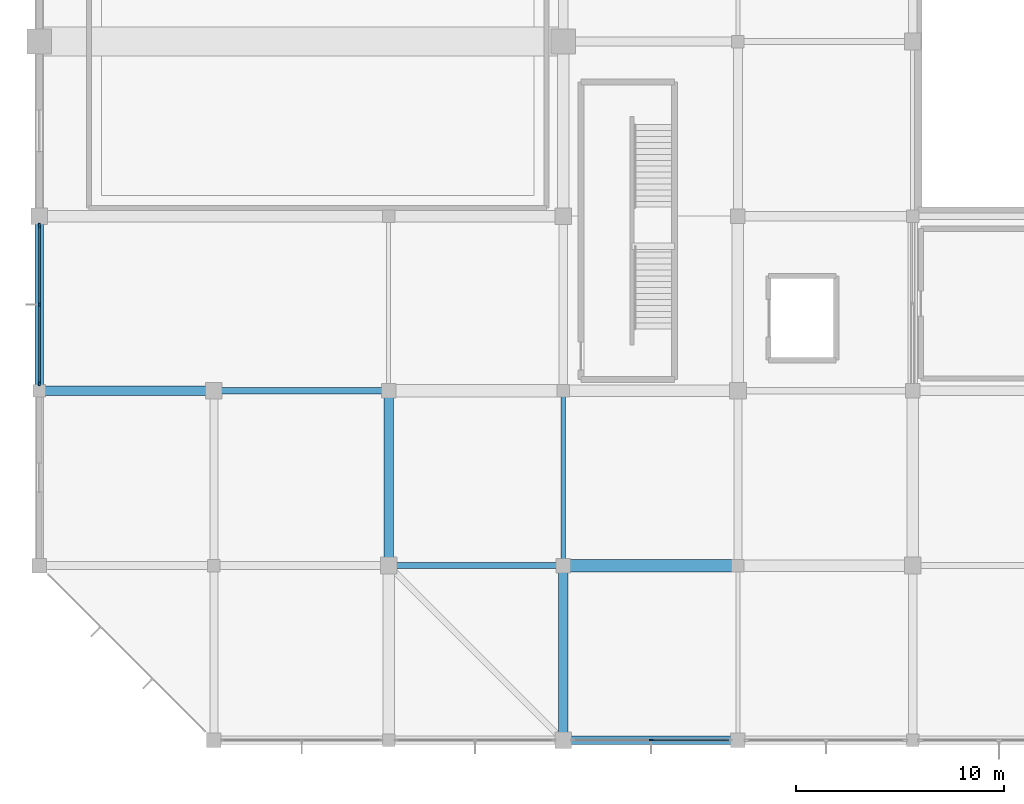
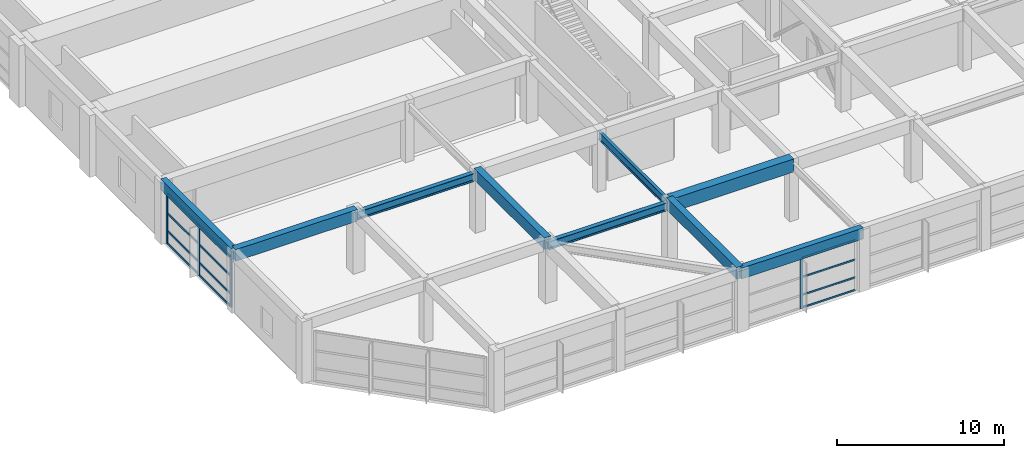
# One storey, part 11 of 62: 16 members, 9 beams, 2 elements without a shape of their own.
"""IFC4 building model written with IfcOpenShell, lengths in metres."""

from ifc_helpers import new_model, si_unit, direction, frame, origin, origin_2d, place, context, subcontext, project, spatial, rectangle, i_section, extrude, material, material_profile, profile_set, type_object, element, aggregate, save


model = new_model("IFC4")

# Units and contexts
model_context = context("Model", 3, precision=1e-05, world=origin(), true_north=direction((0.0, 1.0)))
body_context = subcontext(model_context, "Body", "Model", "MODEL_VIEW")
ifc_project = project(units=[si_unit("LENGTHUNIT", "METRE"), si_unit("AREAUNIT", "SQUARE_METRE"), si_unit("VOLUMEUNIT", "CUBIC_METRE"), si_unit("PLANEANGLEUNIT", "RADIAN"), si_unit("MASSUNIT", "GRAM", prefix="KILO")], contexts=[model_context])

# Site, building, storey
site_placement = place(None, origin())
site = spatial("IfcSite", under=ifc_project, at=site_placement, CompositionType="ELEMENT")
building_placement = place(site_placement, origin())
building = spatial("IfcBuilding", under=site, at=building_placement, Name="Xuanlan Plaza Opera House", CompositionType="ELEMENT")
storey_placement = place(building_placement, frame((0.0, 0.0, 14.39990234375)))
storey = spatial("IfcBuildingStorey", under=building, at=storey_placement, Name="L03", CompositionType="ELEMENT", Elevation=14.39990234375)

# Curtain wall, member
ifc_material_1 = material(Name="Anodised Aluminium 6063-T6 and Low-E Glass", Category="aluminium")
curtain_wall_type_1 = type_object("IfcCurtainWallType", Name="ENV-CW-CW-04", PredefinedType="USERDEFINED", material=ifc_material_1)
curtain_wall_1_placement = place(storey_placement, origin())
curtain_wall_1 = element("IfcCurtainWall", 1, at=curtain_wall_1_placement, inside=storey, type_object=curtain_wall_type_1, Name="Unitised Curtain Wall L03-003", ObjectType="UNITISED CURTAIN WALL", PredefinedType="USERDEFINED")
ifc_material_2 = material(Name="Anodised Aluminium 6063-T6", Category="aluminium")
ifc_material_profile_1 = material_profile(ifc_material_2, rectangle(XDim=0.074951171875, YDim=0.199951171875, at=origin_2d()), Name="ALU-M 75x200")
ifc_profile_set_1 = profile_set([ifc_material_profile_1], Name="Anodised Aluminium 6063-T6")
member_type_1 = type_object("IfcMemberType", Name="ENV-CWM-03", PredefinedType="MULLION", material=ifc_profile_set_1)
member_1_placement = place(storey_placement, frame((29.425048828125, 16.800048828125, 0.0), z_axis=(0.0, 0.0, 1.0), x_axis=(0.0, 1.0, 0.0)))
member_1 = element("IfcMember", 2, at=member_1_placement, type_object=member_type_1, Name="CW-04 mullion 2", PredefinedType="MULLION", context=body_context, shape_type="SweptSolid", body=[
    extrude(rectangle(XDim=0.074951171875, YDim=0.199951171875, at=origin_2d()), origin(), (0.0, 0.0, 1.0), 3.68017578125),
])

# Curtain wall, members
curtain_wall_type_2 = type_object("IfcCurtainWallType", Name="ENV-CW-CW-03", PredefinedType="USERDEFINED", material=ifc_material_1)
curtain_wall_2_placement = place(storey_placement, origin())
curtain_wall_2 = element("IfcCurtainWall", 3, at=curtain_wall_2_placement, inside=storey, type_object=curtain_wall_type_2, Name="Unitised Curtain Wall L03-054", ObjectType="UNITISED CURTAIN WALL", PredefinedType="USERDEFINED")
ifc_material_profile_2 = material_profile(ifc_material_2, rectangle(XDim=0.080078125, YDim=0.219970703125, at=origin_2d()), Name="ALU-M 80x220")
ifc_profile_set_2 = profile_set([ifc_material_profile_2], Name="Anodised Aluminium 6063-T6")
member_type_2 = type_object("IfcMemberType", Name="ENV-CWM-04", PredefinedType="MULLION", material=ifc_profile_set_2)
member_2_placement = place(storey_placement, frame((0.0, 41.5400390625, 0.0), z_axis=(0.0, 0.0, 1.0), x_axis=(1.0, 0.0, 0.0)))
member_2 = element("IfcMember", 4, at=member_2_placement, type_object=member_type_2, Name="CW-03 mullion 1", PredefinedType="MULLION", context=body_context, shape_type="SweptSolid", body=[
    extrude(rectangle(XDim=0.080078125, YDim=0.219970703125, at=origin_2d()), origin(), (0.0, 0.0, 1.0), 3.68017578125),
])
member_3_placement = place(storey_placement, frame((0.0, 37.75, 0.0), z_axis=(0.0, 0.0, 1.0), x_axis=(1.0, 0.0, 0.0)))
member_3 = element("IfcMember", 5, at=member_3_placement, type_object=member_type_2, Name="CW-03 mullion 2", PredefinedType="MULLION", context=body_context, shape_type="SweptSolid", body=[
    extrude(rectangle(XDim=0.080078125, YDim=0.219970703125, at=origin_2d()), origin(), (0.0, 0.0, 1.0), 3.68017578125),
])
member_4_placement = place(storey_placement, frame((0.0, 33.9599609375, 0.0), z_axis=(0.0, 0.0, 1.0), x_axis=(1.0, 0.0, 0.0)))
member_4 = element("IfcMember", 6, at=member_4_placement, type_object=member_type_2, Name="CW-03 mullion 3", PredefinedType="MULLION", context=body_context, shape_type="SweptSolid", body=[
    extrude(rectangle(XDim=0.080078125, YDim=0.219970703125, at=origin_2d()), origin(), (0.0, 0.0, 1.0), 3.68017578125),
])

# Member
ifc_material_profile_3 = material_profile(ifc_material_2, rectangle(XDim=0.06494140625, YDim=0.1201171875, at=origin_2d()), Name="ALU-T 65x120")
ifc_profile_set_3 = profile_set([ifc_material_profile_3], Name="Anodised Aluminium 6063-T6")
member_type_3 = type_object("IfcMemberType", Name="ENV-CWT-01", PredefinedType="USERDEFINED", material=ifc_profile_set_3)
member_5_placement = place(storey_placement, frame((29.46240234375, 16.800048828125, 0.03271484375), z_axis=(1.0, 0.0, 0.0), x_axis=(0.0, 1.0, 0.0)))
member_5 = element("IfcMember", 7, at=member_5_placement, type_object=member_type_3, Name="CW-04 transom 2.1", ObjectType="TRANSOM", PredefinedType="USERDEFINED", context=body_context, shape_type="SweptSolid", body=[
    extrude(rectangle(XDim=0.06494140625, YDim=0.1201171875, at=origin_2d()), origin(), (0.0, 0.0, 1.0), 3.692626953125),
])

member_6_placement = place(storey_placement, frame((29.46240234375, 16.800048828125, 0.9501953125), z_axis=(1.0, 0.0, 0.0), x_axis=(0.0, 1.0, 0.0)))
member_6 = element("IfcMember", 8, at=member_6_placement, type_object=member_type_3, Name="CW-04 transom 2.2", ObjectType="TRANSOM", PredefinedType="USERDEFINED", context=body_context, shape_type="SweptSolid", body=[
    extrude(rectangle(XDim=0.06494140625, YDim=0.1201171875, at=origin_2d()), origin(), (0.0, 0.0, 1.0), 3.692626953125),
])

member_7_placement = place(storey_placement, frame((29.46240234375, 16.800048828125, 2.25), z_axis=(1.0, 0.0, 0.0), x_axis=(0.0, 1.0, 0.0)))
member_7 = element("IfcMember", 9, at=member_7_placement, type_object=member_type_3, Name="CW-04 transom 2.3", ObjectType="TRANSOM", PredefinedType="USERDEFINED", context=body_context, shape_type="SweptSolid", body=[
    extrude(rectangle(XDim=0.06494140625, YDim=0.1201171875, at=origin_2d()), origin(), (0.0, 0.0, 1.0), 3.692626953125),
])

member_8_placement = place(storey_placement, frame((29.46240234375, 16.800048828125, 3.647705078125), z_axis=(1.0, 0.0, 0.0), x_axis=(0.0, 1.0, 0.0)))
member_8 = element("IfcMember", 10, at=member_8_placement, type_object=member_type_3, Name="CW-04 transom 2.4", ObjectType="TRANSOM", PredefinedType="USERDEFINED", context=body_context, shape_type="SweptSolid", body=[
    extrude(rectangle(XDim=0.06494140625, YDim=0.1201171875, at=origin_2d()), origin(), (0.0, 0.0, 1.0), 3.692626953125),
])

aggregate(curtain_wall_1, [member_1, member_5, member_6, member_7, member_8])

ifc_material_profile_4 = material_profile(ifc_material_2, rectangle(XDim=0.074951171875, YDim=0.14990234375, at=origin_2d()), Name="ALU-T 75x150")
ifc_profile_set_4 = profile_set([ifc_material_profile_4], Name="Anodised Aluminium 6063-T6")
member_type_4 = type_object("IfcMemberType", Name="ENV-CWT-03", PredefinedType="USERDEFINED", material=ifc_profile_set_4)
member_9_placement = place(storey_placement, frame((0.0, 41.5, 0.03759765625), z_axis=(0.0, -1.0, 0.0), x_axis=(1.0, 0.0, 0.0)))
member_9 = element("IfcMember", 11, at=member_9_placement, type_object=member_type_4, Name="CW-03 transom 1.1", ObjectType="TRANSOM", PredefinedType="USERDEFINED", context=body_context, shape_type="SweptSolid", body=[
    extrude(rectangle(XDim=0.074951171875, YDim=0.14990234375, at=origin_2d()), origin(), (0.0, 0.0, 1.0), 3.7099609375),
])

member_10_placement = place(storey_placement, frame((0.0, 41.5, 0.9501953125), z_axis=(0.0, -1.0, 0.0), x_axis=(1.0, 0.0, 0.0)))
member_10 = element("IfcMember", 12, at=member_10_placement, type_object=member_type_4, Name="CW-03 transom 1.2", ObjectType="TRANSOM", PredefinedType="USERDEFINED", context=body_context, shape_type="SweptSolid", body=[
    extrude(rectangle(XDim=0.074951171875, YDim=0.14990234375, at=origin_2d()), origin(), (0.0, 0.0, 1.0), 3.7099609375),
])

member_11_placement = place(storey_placement, frame((0.0, 41.5, 2.25), z_axis=(0.0, -1.0, 0.0), x_axis=(1.0, 0.0, 0.0)))
member_11 = element("IfcMember", 13, at=member_11_placement, type_object=member_type_4, Name="CW-03 transom 1.3", ObjectType="TRANSOM", PredefinedType="USERDEFINED", context=body_context, shape_type="SweptSolid", body=[
    extrude(rectangle(XDim=0.074951171875, YDim=0.14990234375, at=origin_2d()), origin(), (0.0, 0.0, 1.0), 3.7099609375),
])

member_12_placement = place(storey_placement, frame((0.0, 41.5, 3.642578125), z_axis=(0.0, -1.0, 0.0), x_axis=(1.0, 0.0, 0.0)))
member_12 = element("IfcMember", 14, at=member_12_placement, type_object=member_type_4, Name="CW-03 transom 1.4", ObjectType="TRANSOM", PredefinedType="USERDEFINED", context=body_context, shape_type="SweptSolid", body=[
    extrude(rectangle(XDim=0.074951171875, YDim=0.14990234375, at=origin_2d()), origin(), (0.0, 0.0, 1.0), 3.7099609375),
])

member_13_placement = place(storey_placement, frame((0.0, 37.7099609375, 0.03759765625), z_axis=(0.0, -1.0, 0.0), x_axis=(1.0, 0.0, 0.0)))
member_13 = element("IfcMember", 15, at=member_13_placement, type_object=member_type_4, Name="CW-03 transom 2.1", ObjectType="TRANSOM", PredefinedType="USERDEFINED", context=body_context, shape_type="SweptSolid", body=[
    extrude(rectangle(XDim=0.074951171875, YDim=0.14990234375, at=origin_2d()), origin(), (0.0, 0.0, 1.0), 3.7099609375),
])

member_14_placement = place(storey_placement, frame((0.0, 37.7099609375, 0.9501953125), z_axis=(0.0, -1.0, 0.0), x_axis=(1.0, 0.0, 0.0)))
member_14 = element("IfcMember", 16, at=member_14_placement, type_object=member_type_4, Name="CW-03 transom 2.2", ObjectType="TRANSOM", PredefinedType="USERDEFINED", context=body_context, shape_type="SweptSolid", body=[
    extrude(rectangle(XDim=0.074951171875, YDim=0.14990234375, at=origin_2d()), origin(), (0.0, 0.0, 1.0), 3.7099609375),
])

member_15_placement = place(storey_placement, frame((0.0, 37.7099609375, 2.25), z_axis=(0.0, -1.0, 0.0), x_axis=(1.0, 0.0, 0.0)))
member_15 = element("IfcMember", 17, at=member_15_placement, type_object=member_type_4, Name="CW-03 transom 2.3", ObjectType="TRANSOM", PredefinedType="USERDEFINED", context=body_context, shape_type="SweptSolid", body=[
    extrude(rectangle(XDim=0.074951171875, YDim=0.14990234375, at=origin_2d()), origin(), (0.0, 0.0, 1.0), 3.7099609375),
])

member_16_placement = place(storey_placement, frame((0.0, 37.7099609375, 3.642578125), z_axis=(0.0, -1.0, 0.0), x_axis=(1.0, 0.0, 0.0)))
member_16 = element("IfcMember", 18, at=member_16_placement, type_object=member_type_4, Name="CW-03 transom 2.4", ObjectType="TRANSOM", PredefinedType="USERDEFINED", context=body_context, shape_type="SweptSolid", body=[
    extrude(rectangle(XDim=0.074951171875, YDim=0.14990234375, at=origin_2d()), origin(), (0.0, 0.0, 1.0), 3.7099609375),
])

aggregate(curtain_wall_2, [member_2, member_3, member_4, member_9, member_10, member_11, member_12, member_13, member_14, member_15, member_16])

# Beams
ifc_material_3 = material(Name="Concrete C50", Category="concrete")
ifc_material_profile_5 = material_profile(ifc_material_3, rectangle(XDim=0.60009765625, YDim=0.949951171875, at=origin_2d()), Name="RC-BM 600x950")
ifc_profile_set_5 = profile_set([ifc_material_profile_5], Name="Concrete C50")
beam_type_1 = type_object("IfcBeamType", Name="STR-BM-B-01", PredefinedType="BEAM", material=ifc_profile_set_5)
beam_1_placement = place(storey_placement, frame((25.199951171875, 25.199951171875, 4.025146484375), z_axis=(1.0, 0.0, 0.0), x_axis=(0.0, 1.0, 0.0)))
element("IfcBeam", 19, at=beam_1_placement, inside=storey, type_object=beam_type_1, Name="Grid Beam X L03 4-5/D", PredefinedType="BEAM", context=body_context, shape_type="SweptSolid", body=[
    extrude(rectangle(XDim=0.60009765625, YDim=0.949951171875, at=origin_2d()), origin(), (0.0, 0.0, 1.0), 8.400146484375),
])
ifc_material_4 = material(Name="Concrete C40", Category="concrete")
ifc_material_profile_6 = material_profile(ifc_material_4, rectangle(XDim=0.449951171875, YDim=0.85009765625, at=origin_2d()), Name="RC-BM 450x850")
ifc_profile_set_6 = profile_set([ifc_material_profile_6], Name="Concrete C40")
beam_type_2 = type_object("IfcBeamType", Name="STR-BM-B-04", PredefinedType="BEAM", material=ifc_profile_set_6)
beam_2_placement = place(storey_placement, frame((0.0, 33.60009765625, 4.0751953125), z_axis=(1.0, 0.0, 0.0), x_axis=(0.0, 1.0, 0.0)))
element("IfcBeam", 20, at=beam_2_placement, inside=storey, type_object=beam_type_2, Name="Grid Beam X L03 1-2/E", PredefinedType="BEAM", context=body_context, shape_type="SweptSolid", body=[
    extrude(rectangle(XDim=0.449951171875, YDim=0.85009765625, at=origin_2d()), origin(), (0.0, 0.0, 1.0), 8.39990234375),
])
beam_3_placement = place(storey_placement, frame((16.800048828125, 25.199951171875, 4.0751953125), z_axis=(0.0, 1.0, 0.0), x_axis=(-1.0, 0.0, 0.0)))
element("IfcBeam", 21, at=beam_3_placement, inside=storey, type_object=beam_type_2, Name="Grid Beam Y L03 3/D-E", PredefinedType="BEAM", context=body_context, shape_type="SweptSolid", body=[
    extrude(rectangle(XDim=0.449951171875, YDim=0.85009765625, at=origin_2d()), origin(), (0.0, 0.0, 1.0), 8.400146484375),
])
beam_4_placement = place(storey_placement, frame((25.199951171875, 16.800048828125, 4.0751953125), z_axis=(0.0, 1.0, 0.0), x_axis=(-1.0, 0.0, 0.0)))
element("IfcBeam", 22, at=beam_4_placement, inside=storey, type_object=beam_type_2, Name="Grid Beam Y L03 4/C-D", PredefinedType="BEAM", context=body_context, shape_type="SweptSolid", body=[
    extrude(rectangle(XDim=0.449951171875, YDim=0.85009765625, at=origin_2d()), origin(), (0.0, 0.0, 1.0), 8.39990234375),
])
ifc_material_5 = material(Name="Steel Q355B", Category="steel")
ifc_material_profile_7 = material_profile(ifc_material_5, i_section(OverallWidth=0.199951171875, OverallDepth=0.60009765625, WebThickness=0.010986328125, FlangeThickness=0.01708984375, FilletRadius=0.02197265625, at=origin_2d()), Name="HN 600x200x11x17")
ifc_profile_set_7 = profile_set([ifc_material_profile_7], Name="Steel Q355B")
beam_type_3 = type_object("IfcBeamType", Name="STR-BM-SB-04", PredefinedType="BEAM", material=ifc_profile_set_7)
beam_5_placement = place(storey_placement, frame((25.199951171875, 25.199951171875, 3.93505859375), z_axis=(0.0, 1.0, 0.0), x_axis=(-1.0, 0.0, 0.0)))
element("IfcBeam", 23, at=beam_5_placement, inside=storey, type_object=beam_type_3, Name="Grid Beam Y L03 4/D-E", PredefinedType="BEAM", context=body_context, shape_type="SweptSolid", body=[
    extrude(i_section(OverallWidth=0.199951171875, OverallDepth=0.60009765625, WebThickness=0.010986328125, FlangeThickness=0.01708984375, FilletRadius=0.02197265625, at=origin_2d()), origin(), (0.0, 0.0, 1.0), 8.400146484375),
])
ifc_material_profile_8 = material_profile(ifc_material_5, i_section(OverallWidth=0.300048828125, OverallDepth=0.587890625, WebThickness=0.011962890625, FlangeThickness=0.02001953125, FilletRadius=0.02392578125, at=origin_2d()), Name="HM 588x300x12x20")
ifc_profile_set_8 = profile_set([ifc_material_profile_8], Name="Steel Q355B")
beam_type_4 = type_object("IfcBeamType", Name="STR-BM-SB-06", PredefinedType="BEAM", material=ifc_profile_set_8)
beam_6_placement = place(storey_placement, frame((16.800048828125, 25.199951171875, 3.941162109375), z_axis=(1.0, 0.0, 0.0), x_axis=(0.0, 1.0, 0.0)))
element("IfcBeam", 24, at=beam_6_placement, inside=storey, type_object=beam_type_4, Name="Grid Beam X L03 3-4/D", PredefinedType="BEAM", context=body_context, shape_type="SweptSolid", body=[
    extrude(i_section(OverallWidth=0.300048828125, OverallDepth=0.587890625, WebThickness=0.011962890625, FlangeThickness=0.02001953125, FilletRadius=0.02392578125, at=origin_2d()), origin(), (0.0, 0.0, 1.0), 8.39990234375),
])
beam_7_placement = place(storey_placement, frame((8.39990234375, 33.60009765625, 3.941162109375), z_axis=(1.0, 0.0, 0.0), x_axis=(0.0, 1.0, 0.0)))
element("IfcBeam", 25, at=beam_7_placement, inside=storey, type_object=beam_type_4, Name="Grid Beam X L03 2-3/E", PredefinedType="BEAM", context=body_context, shape_type="SweptSolid", body=[
    extrude(i_section(OverallWidth=0.300048828125, OverallDepth=0.587890625, WebThickness=0.011962890625, FlangeThickness=0.02001953125, FilletRadius=0.02392578125, at=origin_2d()), origin(), (0.0, 0.0, 1.0), 8.400146484375),
])
ifc_material_profile_9 = material_profile(ifc_material_4, rectangle(XDim=0.39990234375, YDim=0.800048828125, at=origin_2d()), Name="RC-SPD 400x800")
ifc_profile_set_9 = profile_set([ifc_material_profile_9], Name="Concrete C40")
beam_type_5 = type_object("IfcBeamType", Name="STR-BM-SP-01", PredefinedType="SPANDREL", material=ifc_profile_set_9)
beam_8_placement = place(storey_placement, frame((25.199951171875, 16.800048828125, 4.10009765625), z_axis=(1.0, 0.0, 0.0), x_axis=(0.0, 1.0, 0.0)))
element("IfcBeam", 26, at=beam_8_placement, inside=storey, type_object=beam_type_5, Name="Grid Beam X L03 4-5/C", PredefinedType="SPANDREL", context=body_context, shape_type="SweptSolid", body=[
    extrude(rectangle(XDim=0.39990234375, YDim=0.800048828125, at=origin_2d()), origin(), (0.0, 0.0, 1.0), 8.400146484375),
])
beam_9_placement = place(storey_placement, frame((0.0, 33.60009765625, 4.10009765625), z_axis=(0.0, 1.0, 0.0), x_axis=(-1.0, 0.0, 0.0)))
element("IfcBeam", 27, at=beam_9_placement, inside=storey, type_object=beam_type_5, Name="Grid Beam Y L03 1/E-F", PredefinedType="SPANDREL", context=body_context, shape_type="SweptSolid", body=[
    extrude(rectangle(XDim=0.39990234375, YDim=0.800048828125, at=origin_2d()), origin(), (0.0, 0.0, 1.0), 8.39990234375),
])

save(model, "model.ifc")
